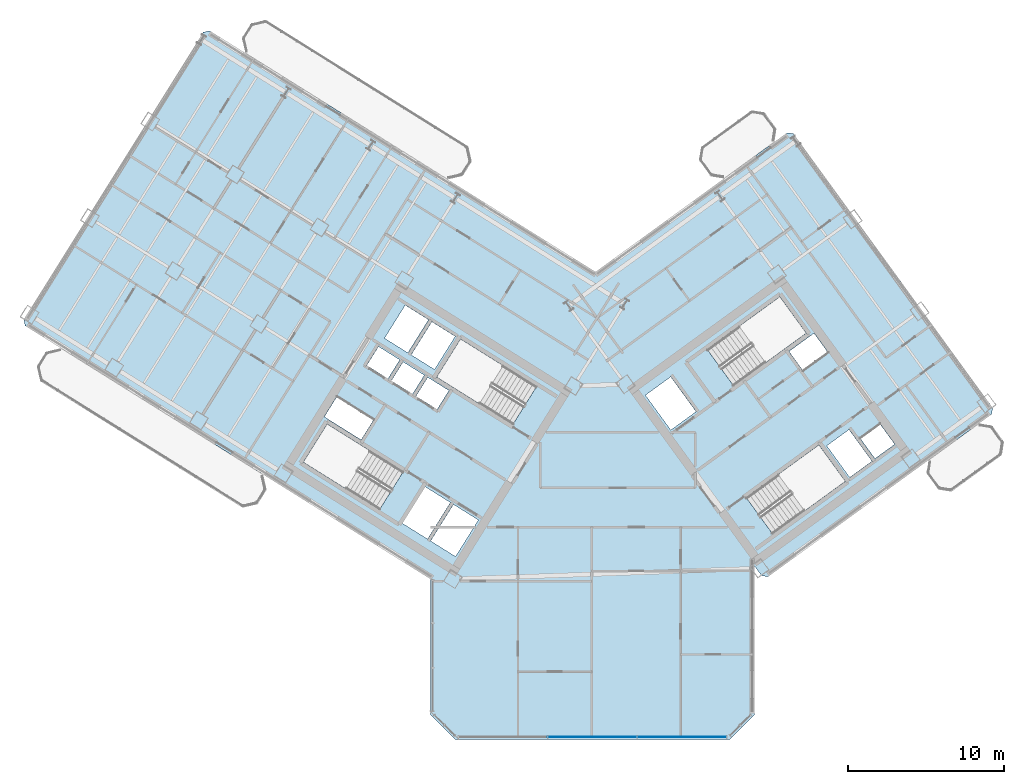
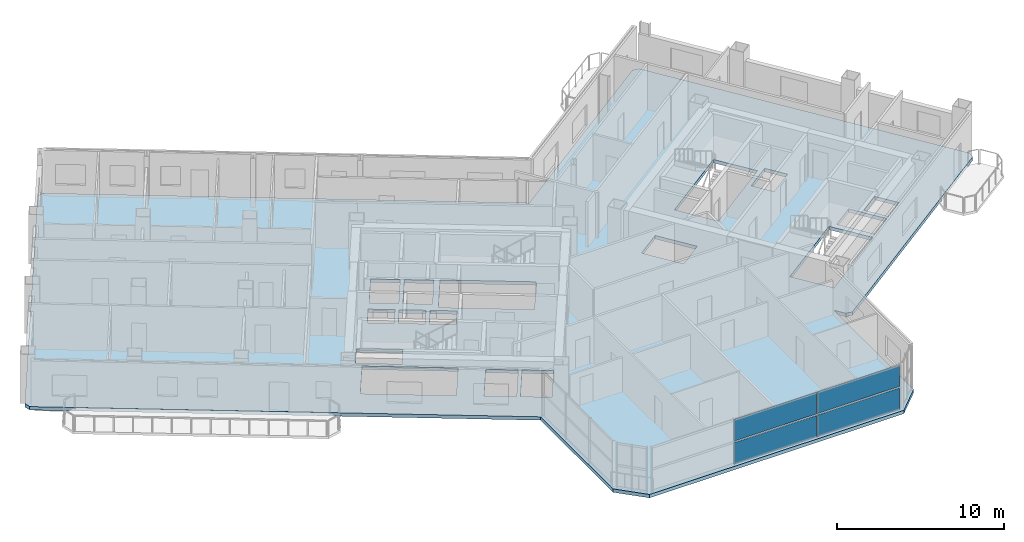
# One storey, part 9 of 21: 4 plates, 1 slab, 1 element without a shape of its own.
"""IFC4 building model written with IfcOpenShell, lengths in metres."""

from ifc_helpers import new_model, si_unit, direction, frame, origin, origin_2d, place, context, subcontext, project, spatial, polyline, rectangle, outline, extrude, source, transform, mapped, material, layer, layer_set, type_object, element, aggregate, save


model = new_model("IFC4")

# Units and contexts
model_context = context("Model", 3, precision=1e-05, world=origin(), true_north=direction((0.0, 1.0)))
body_context = subcontext(model_context, "Body", "Model", "MODEL_VIEW")
ifc_project = project(units=[si_unit("LENGTHUNIT", "METRE"), si_unit("AREAUNIT", "SQUARE_METRE"), si_unit("VOLUMEUNIT", "CUBIC_METRE"), si_unit("PLANEANGLEUNIT", "RADIAN"), si_unit("MASSUNIT", "GRAM", prefix="KILO")], contexts=[model_context])

# Site, building, storey
site_placement = place(None, origin())
site = spatial("IfcSite", under=ifc_project, at=site_placement, CompositionType="ELEMENT")
building_placement = place(site_placement, origin())
building = spatial("IfcBuilding", under=site, at=building_placement, Name="Tlacorven Tower", CompositionType="ELEMENT")
storey_placement = place(building_placement, frame((0.0, 0.0, 119.699951171875)))
storey = spatial("IfcBuildingStorey", under=building, at=storey_placement, Name="L30", CompositionType="ELEMENT", Elevation=119.699951171875)

# Slab
ifc_material_1 = material(Name="Concrete C40/50", Category="concrete")
ifc_layer_1 = layer(ifc_material_1, 0.25)
ifc_layer_set_1 = layer_set([ifc_layer_1], Name="Concrete C40/50")
slab_type = type_object("IfcSlabType", Name="SL-TWR-250", PredefinedType="FLOOR", material=ifc_layer_set_1)
slab_placement = place(storey_placement, frame((0.0, 0.0, -0.25)))
element("IfcSlab", 1, at=slab_placement, inside=storey, type_object=slab_type, Name="L30 Boomerang Tower Floor Slab", PredefinedType="FLOOR", context=body_context, shape_type="SweptSolid", body=[
    extrude(outline(polyline([(52.39990234375, 3.39990234375), (50.800048828125, 1.800048828125), (33.199951171875, 1.800048828125), (31.60009765625, 3.39990234375), (31.60009765625, 12.09423828125), (5.62451171875, 28.32568359375), (5.529052734375, 28.739013671875), (17.0390625, 47.15869140625), (17.452392578125, 47.254150390625), (42.19970703125, 31.790283203125), (54.481689453125, 40.713623046875), (54.90087890625, 40.647216796875), (67.66748046875, 23.075439453125), (67.60107421875, 22.656494140625), (53.265380859375, 12.24072265625), (52.846435546875, 12.30712890625), (52.39990234375, 12.921630859375), (52.39990234375, 3.39990234375)]), holes=[polyline([(29.865478515625, 18.979736328125), (24.9892578125, 22.02685546875), (23.463134765625, 19.58447265625), (28.33935546875, 16.537353515625), (29.865478515625, 18.979736328125)]), polyline([(38.4169921875, 24.4375), (33.540771484375, 27.484375), (32.0146484375, 25.0419921875), (36.890869140625, 21.9951171875), (38.4169921875, 24.4375)]), polyline([(51.05908203125, 24.481689453125), (55.7109375, 27.861572265625), (54.01806640625, 30.19140625), (49.3662109375, 26.811767578125), (51.05908203125, 24.481689453125)]), polyline([(53.56298828125, 14.978759765625), (58.21484375, 18.3583984375), (56.52197265625, 20.6884765625), (51.8701171875, 17.30859375), (53.56298828125, 14.978759765625)]), polyline([(34.682373046875, 15.87548828125), (33.088134765625, 16.871826171875), (31.62548828125, 14.531005859375), (33.2197265625, 13.534912109375), (34.682373046875, 15.87548828125)]), polyline([(32.884521484375, 16.9990234375), (31.2392578125, 18.02685546875), (29.77685546875, 15.686279296875), (31.421875, 14.658203125), (32.884521484375, 16.9990234375)]), polyline([(47.0234375, 21.648681640625), (48.6416015625, 22.82421875), (47.019287109375, 25.05712890625), (45.401123046875, 23.881591796875), (47.0234375, 21.648681640625)]), polyline([(33.197265625, 27.65185546875), (31.704833984375, 28.58447265625), (30.3798828125, 26.46435546875), (31.87255859375, 25.53173828125), (33.197265625, 27.65185546875)]), polyline([(31.484375, 28.722412109375), (29.99169921875, 29.655029296875), (28.6669921875, 27.534912109375), (30.159423828125, 26.602294921875), (31.484375, 28.722412109375)]), polyline([(32.794921875, 24.17724609375), (31.43798828125, 25.025146484375), (30.685546875, 23.82080078125), (32.042236328125, 22.972900390625), (32.794921875, 24.17724609375)]), polyline([(31.217529296875, 25.162841796875), (29.860595703125, 26.0107421875), (29.108154296875, 24.806396484375), (30.465087890625, 23.958740234375), (31.217529296875, 25.162841796875)]), polyline([(29.64013671875, 26.1484375), (28.283203125, 26.996337890625), (27.53076171875, 25.792236328125), (28.8876953125, 24.9443359375), (29.64013671875, 26.1484375)]), polyline([(58.498779296875, 18.614013671875), (59.922607421875, 19.648681640625), (58.453125, 21.671142578125), (57.029296875, 20.63671875), (58.498779296875, 18.614013671875)]), polyline([(27.96142578125, 22.2919921875), (25.603759765625, 23.76513671875), (24.80908203125, 22.4931640625), (27.16650390625, 21.02001953125), (27.96142578125, 22.2919921875)]), polyline([(55.490478515625, 25.4765625), (57.092529296875, 26.640380859375), (56.210693359375, 27.85400390625), (54.60888671875, 26.690185546875), (55.490478515625, 25.4765625)]), polyline([(60.12109375, 19.817626953125), (61.38330078125, 20.734619140625), (60.45458984375, 22.012939453125), (59.192626953125, 21.095947265625), (60.12109375, 19.817626953125)])]), origin(), (0.0, 0.0, 1.0), 0.25),
])

# Curtain wall, plates
ifc_material_2 = material(Name="Dark solar low-E double glazing in aluminium frame", Category="aluminium")
curtain_wall_type = type_object("IfcCurtainWallType", Name="CW-TWR-MID", PredefinedType="USERDEFINED", material=ifc_material_2)
curtain_wall_placement = place(storey_placement, origin())
curtain_wall = element("IfcCurtainWall", 2, at=curtain_wall_placement, inside=storey, type_object=curtain_wall_type, Name="L30 CW-TWR-MID Curtain Wall 148", ObjectType="UNITISED CURTAIN WALL", PredefinedType="USERDEFINED")
ifc_material_3 = material(Name="High-wind dark solar tempered low-E glazing", Category="glass")
ifc_layer_2 = layer(ifc_material_3, 0.028076171875)
ifc_layer_set_2 = layer_set([ifc_layer_2], Name="High-wind dark solar tempered low-E glazing")
plate_type = type_object("IfcPlateType", Name="CWP-03", PredefinedType="CURTAIN_PANEL", material=ifc_layer_set_2)
shared_shape_1 = source(origin(), body_context, "Body", "SweptSolid", [
    extrude(rectangle(XDim=5.67626953125, YDim=0.028076171875, at=origin_2d()), origin(), (0.0, 0.0, 1.0), 1.552978515625),
])
plate_1_placement = place(storey_placement, frame((47.739501953125, 1.9599609375, 0.06103515625), z_axis=(0.0, 0.0, 1.0), x_axis=(-1.0, 0.0, 0.0)))
plate_1 = element("IfcPlate", 3, at=plate_1_placement, type_object=plate_type, Name="CW-L30-148 Glazing Panel 1", PredefinedType="CURTAIN_PANEL", context=body_context, shape_type="MappedRepresentation", body=[
    mapped(shared_shape_1, transform((0.0, 0.0, 0.0), scale=1.0)),
])
plate_2_placement = place(storey_placement, frame((47.739501953125, 1.9599609375, 1.73583984375), z_axis=(0.0, 0.0, 1.0), x_axis=(-1.0, 0.0, 0.0)))
plate_2 = element("IfcPlate", 4, at=plate_2_placement, type_object=plate_type, Name="CW-L30-148 Glazing Panel 2", PredefinedType="CURTAIN_PANEL", context=body_context, shape_type="MappedRepresentation", body=[
    mapped(shared_shape_1, transform((0.0, 0.0, 0.0), scale=1.0)),
])
shared_shape_2 = source(origin(), body_context, "Body", "SweptSolid", [
    extrude(rectangle(XDim=5.708740234375, YDim=0.028076171875, at=origin_2d()), origin(), (0.0, 0.0, 1.0), 1.552978515625),
])
plate_3_placement = place(storey_placement, frame((42.0, 1.9599609375, 0.06103515625), z_axis=(0.0, 0.0, 1.0), x_axis=(-1.0, 0.0, 0.0)))
plate_3 = element("IfcPlate", 5, at=plate_3_placement, type_object=plate_type, Name="CW-L30-148 Glazing Panel 3", PredefinedType="CURTAIN_PANEL", context=body_context, shape_type="MappedRepresentation", body=[
    mapped(shared_shape_2, transform((0.0, 0.0, 0.0), scale=1.0)),
])
plate_4_placement = place(storey_placement, frame((42.0, 1.9599609375, 1.73583984375), z_axis=(0.0, 0.0, 1.0), x_axis=(-1.0, 0.0, 0.0)))
plate_4 = element("IfcPlate", 6, at=plate_4_placement, type_object=plate_type, Name="CW-L30-148 Glazing Panel 4", PredefinedType="CURTAIN_PANEL", context=body_context, shape_type="MappedRepresentation", body=[
    mapped(shared_shape_2, transform((0.0, 0.0, 0.0), scale=1.0)),
])
aggregate(curtain_wall, [plate_1, plate_2, plate_3, plate_4])

save(model, "model.ifc")
